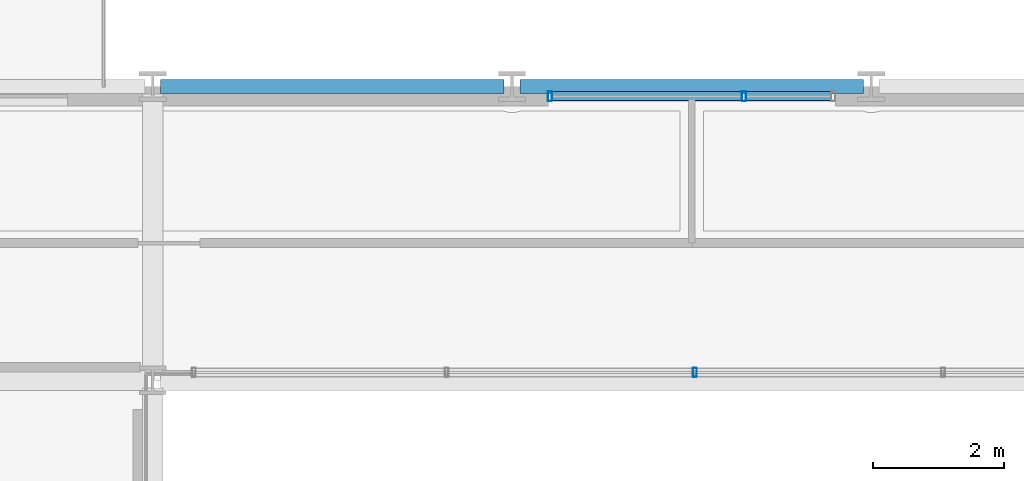
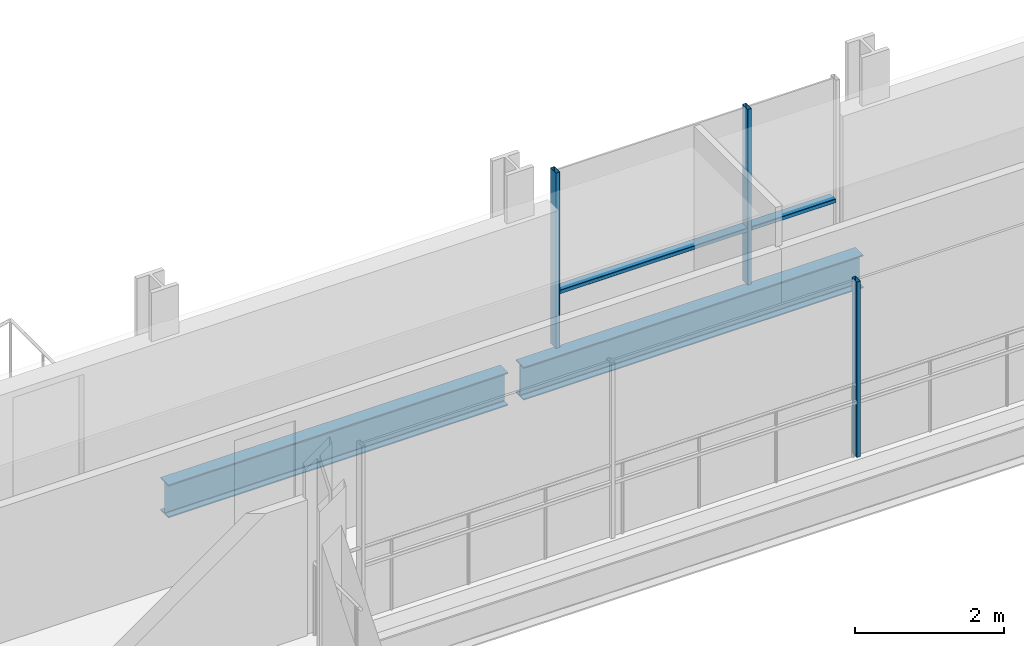
# One storey, part 11 of 38: 5 members, 2 beams, 2 elements without a shape of their own.
"""IFC4 building model written with IfcOpenShell, lengths in metres."""

from ifc_helpers import new_model, si_unit, direction, frame, origin, origin_2d, place, context, subcontext, project, spatial, hollow_rectangle, i_section, extrude, material, layer, layer_set, material_profile, profile_set, type_object, element, aggregate, save


model = new_model("IFC4")

# Units and contexts
model_context = context("Model", 3, precision=1e-05, world=origin(), true_north=direction((0.0, 1.0)))
body_context = subcontext(model_context, "Body", "Model", "MODEL_VIEW")
ifc_project = project(units=[si_unit("LENGTHUNIT", "METRE"), si_unit("AREAUNIT", "SQUARE_METRE"), si_unit("VOLUMEUNIT", "CUBIC_METRE"), si_unit("PLANEANGLEUNIT", "RADIAN"), si_unit("MASSUNIT", "GRAM", prefix="KILO")], contexts=[model_context])

# Site, building, storey
site_placement = place(None, origin())
site = spatial("IfcSite", under=ifc_project, at=site_placement, CompositionType="ELEMENT")
building_placement = place(site_placement, origin())
building = spatial("IfcBuilding", under=site, at=building_placement, Name="Brevholm Reach", CompositionType="ELEMENT")
storey_placement = place(building_placement, frame((0.0, 0.0, 71.39990234375)))
storey = spatial("IfcBuildingStorey", under=building, at=storey_placement, Name="L20", CompositionType="ELEMENT", Elevation=71.39990234375)

# Beams
ifc_material_1 = material(Name="Structural Steel S355J2", Category="steel")
ifc_material_profile_1 = material_profile(ifc_material_1, i_section(OverallWidth=0.210693359375, OverallDepth=0.53955078125, WebThickness=0.01171875, FlangeThickness=0.018798828125, FilletRadius=0.0126953125, at=origin_2d()), Name="UKB 533x210x109")
ifc_profile_set_1 = profile_set([ifc_material_profile_1], Name="Structural Steel S355J2")
beam_type = type_object("IfcBeamType", Name="BM-SP539", PredefinedType="SPANDREL", material=ifc_profile_set_1)
for number, where, z_axis, x_axis, name in (
    (1, (21.8701171875, 31.0, -0.499755859375), (1.0, 0.0, 0.0), (0.0, 1.0, 0.0), "L20 SP-01B Framing Beam"),
    (2, (27.3701171875, 31.0, -0.499755859375), (1.0, 0.0, 0.0), (0.0, 1.0, 0.0), "L20 SP-01B Framing Beam"),
):
    element("IfcBeam", number, at=place(storey_placement, frame(where, z_axis=z_axis, x_axis=x_axis)), inside=storey, type_object=beam_type, Name=name, PredefinedType="SPANDREL", context=body_context, shape_type="SweptSolid", body=[
        extrude(i_section(OverallWidth=0.210693359375, OverallDepth=0.53955078125, WebThickness=0.01171875, FlangeThickness=0.018798828125, FilletRadius=0.0126953125, at=origin_2d()), origin(), (0.0, 0.0, 1.0), 5.259765625),
    ])

# Curtain wall, member
ifc_material_2 = material(Name="Dark Anodised Aluminium 6063-T6 and Solar-Control Glass", Category="aluminium")
ifc_layer_1 = layer(ifc_material_2, 0.139892578125)
ifc_layer_set_1 = layer_set([ifc_layer_1], Name="Dark Anodised Aluminium 6063-T6 and Solar-Control Glass")
curtain_wall_type_1 = type_object("IfcCurtainWallType", Name="CW-02", PredefinedType="NOTDEFINED", material=ifc_layer_set_1)
curtain_wall_1_placement = place(storey_placement, origin())
curtain_wall_1 = element("IfcCurtainWall", 3, at=curtain_wall_1_placement, inside=storey, type_object=curtain_wall_type_1, Name="L20 Curtain Wall CW-02", PredefinedType="NOTDEFINED")
ifc_material_3 = material(Name="Dark Anodised Aluminium 6063-T6", Category="aluminium")
ifc_material_profile_2 = material_profile(ifc_material_3, hollow_rectangle(XDim=0.06005859375, YDim=0.139892578125, WallThickness=0.0048828125, InnerFilletRadius=0.0048828125, OuterFilletRadius=0.010009765625, at=origin_2d()), Name="RHS 140x60x5")
ifc_profile_set_2 = profile_set([ifc_material_profile_2], Name="Dark Anodised Aluminium 6063-T6")
member_type_1 = type_object("IfcMemberType", Name="CWM-140", PredefinedType="MULLION", material=ifc_profile_set_2)
member_1_placement = place(storey_placement, frame((30.050048828125, 26.6201171875, 0.0), z_axis=(0.0, 0.0, 1.0), x_axis=(-1.0, 0.0, 0.0)))
member_1 = element("IfcMember", 4, at=member_1_placement, type_object=member_type_1, Name="CM-140 Mullion 3", PredefinedType="MULLION", context=body_context, shape_type="SweptSolid", body=[
    extrude(hollow_rectangle(XDim=0.06005859375, YDim=0.139892578125, WallThickness=0.0048828125, InnerFilletRadius=0.0048828125, OuterFilletRadius=0.010009765625, at=origin_2d()), origin(), (0.0, 0.0, 1.0), 2.8701171875),
])
aggregate(curtain_wall_1, [member_1])

# Curtain wall, members
ifc_material_4 = material(Name="Dark Anodised Aluminium 6063-T6 and Solar-Control Glass", Category="aluminium")
ifc_layer_2 = layer(ifc_material_4, 0.14990234375)
ifc_layer_set_2 = layer_set([ifc_layer_2], Name="Dark Anodised Aluminium 6063-T6 and Solar-Control Glass")
curtain_wall_type_2 = type_object("IfcCurtainWallType", Name="CW-01", PredefinedType="NOTDEFINED", material=ifc_layer_set_2)
curtain_wall_2_placement = place(storey_placement, origin())
curtain_wall_2 = element("IfcCurtainWall", 5, at=curtain_wall_2_placement, inside=storey, type_object=curtain_wall_type_2, Name="L20 Curtain Wall CW-01", PredefinedType="NOTDEFINED")
ifc_material_5 = material(Name="Dark Anodised Aluminium 6063-T6", Category="aluminium")
ifc_material_profile_3 = material_profile(ifc_material_5, hollow_rectangle(XDim=0.06494140625, YDim=0.14990234375, WallThickness=0.0048828125, InnerFilletRadius=0.0048828125, OuterFilletRadius=0.010009765625, at=origin_2d()), Name="RHS 150x65x5")
ifc_profile_set_3 = profile_set([ifc_material_profile_3], Name="Dark Anodised Aluminium 6063-T6")
member_type_2 = type_object("IfcMemberType", Name="CWM-150", PredefinedType="MULLION", material=ifc_profile_set_3)
member_2_placement = place(storey_placement, frame((27.83251953125, 30.85009765625, 0.0), z_axis=(0.0, 0.0, 1.0), x_axis=(1.0, 0.0, 0.0)))
member_2 = element("IfcMember", 6, at=member_2_placement, type_object=member_type_2, Name="CM-150 Mullion 1", PredefinedType="MULLION", context=body_context, shape_type="SweptSolid", body=[
    extrude(hollow_rectangle(XDim=0.06494140625, YDim=0.14990234375, WallThickness=0.0048828125, InnerFilletRadius=0.0048828125, OuterFilletRadius=0.010009765625, at=origin_2d()), origin(), (0.0, 0.0, 1.0), 2.8701171875),
])
member_3_placement = place(storey_placement, frame((30.800048828125, 30.85009765625, 0.0), z_axis=(0.0, 0.0, 1.0), x_axis=(1.0, 0.0, 0.0)))
member_3 = element("IfcMember", 7, at=member_3_placement, type_object=member_type_2, Name="CM-150 Mullion 2", PredefinedType="MULLION", context=body_context, shape_type="SweptSolid", body=[
    extrude(hollow_rectangle(XDim=0.06494140625, YDim=0.14990234375, WallThickness=0.0048828125, InnerFilletRadius=0.0048828125, OuterFilletRadius=0.010009765625, at=origin_2d()), origin(), (0.0, 0.0, 1.0), 2.8701171875),
])
ifc_material_6 = material(Name="Dark Anodised Aluminium 6063-T6", Category="aluminium")
ifc_material_profile_4 = material_profile(ifc_material_6, hollow_rectangle(XDim=0.06494140625, YDim=0.14990234375, WallThickness=0.0048828125, InnerFilletRadius=0.0048828125, OuterFilletRadius=0.010009765625, at=origin_2d()), Name="RHS 150x65x5")
ifc_profile_set_4 = profile_set([ifc_material_profile_4], Name="Dark Anodised Aluminium 6063-T6")
member_type_3 = type_object("IfcMemberType", Name="CWT-150", PredefinedType="NOTDEFINED", material=ifc_profile_set_4)
member_4_placement = place(storey_placement, frame((27.864990234375, 30.85009765625, 0.900146484375), z_axis=(1.0, 0.0, 0.0), x_axis=(0.0, 0.0, 1.0)))
member_4 = element("IfcMember", 8, at=member_4_placement, type_object=member_type_3, Name="CT-150 Transom 1.1", ObjectType="TRANSOM", PredefinedType="USERDEFINED", context=body_context, shape_type="SweptSolid", body=[
    extrude(hollow_rectangle(XDim=0.06494140625, YDim=0.14990234375, WallThickness=0.0048828125, InnerFilletRadius=0.0048828125, OuterFilletRadius=0.010009765625, at=origin_2d()), origin(), (0.0, 0.0, 1.0), 2.902587890625),
])
member_5_placement = place(storey_placement, frame((30.83251953125, 30.85009765625, 0.900146484375), z_axis=(1.0, 0.0, 0.0), x_axis=(0.0, 0.0, 1.0)))
member_5 = element("IfcMember", 9, at=member_5_placement, type_object=member_type_3, Name="CT-150 Transom 2.1", ObjectType="TRANSOM", PredefinedType="USERDEFINED", context=body_context, shape_type="SweptSolid", body=[
    extrude(hollow_rectangle(XDim=0.06494140625, YDim=0.14990234375, WallThickness=0.0048828125, InnerFilletRadius=0.0048828125, OuterFilletRadius=0.010009765625, at=origin_2d()), origin(), (0.0, 0.0, 1.0), 1.302490234375),
])
aggregate(curtain_wall_2, [member_2, member_3, member_4, member_5])

save(model, "model.ifc")
